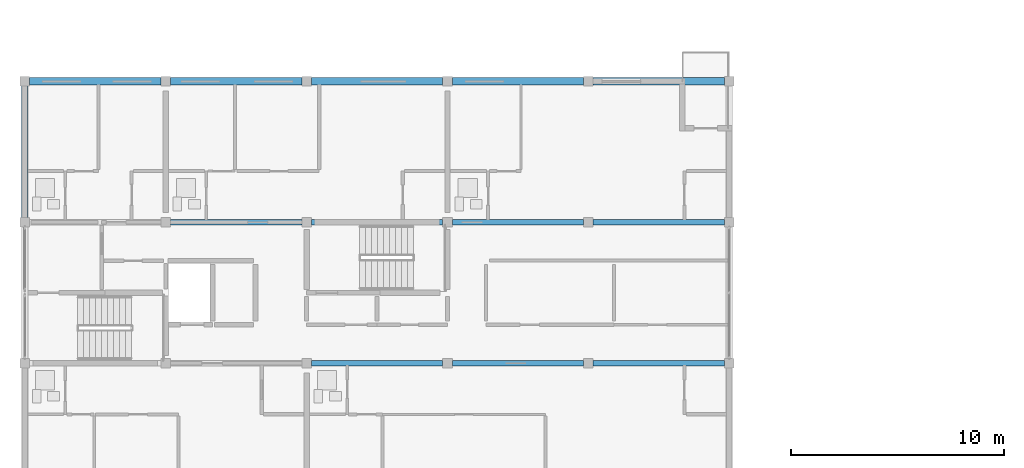
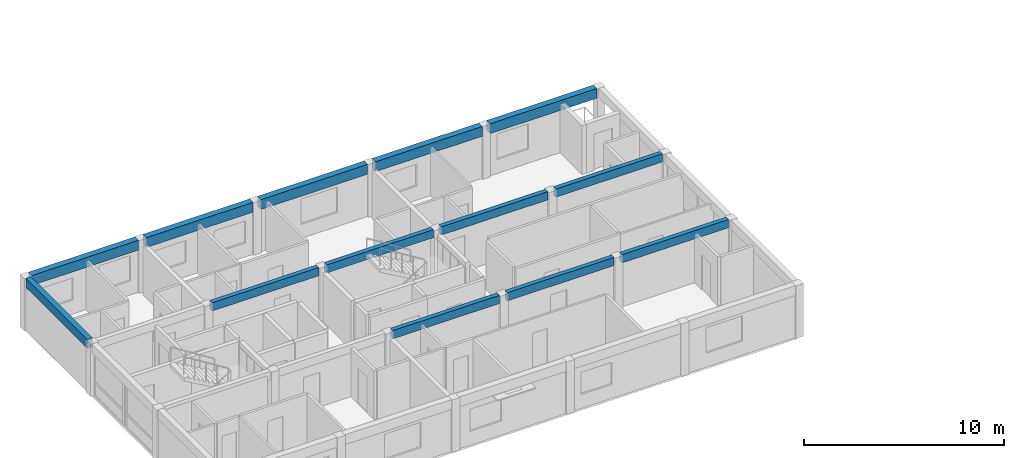
# One storey, part 4 of 22: 13 beams.
"""IFC4 building model written with IfcOpenShell, lengths in metres."""

from ifc_helpers import new_model, si_unit, direction, frame, origin, origin_2d, place, context, subcontext, project, spatial, rectangle, extrude, material, material_profile, profile_set, type_object, element, save


model = new_model("IFC4")

# Units and contexts
model_context = context("Model", 3, precision=1e-05, world=origin(), true_north=direction((0.0, 1.0)))
body_context = subcontext(model_context, "Body", "Model", "MODEL_VIEW")
ifc_project = project(units=[si_unit("LENGTHUNIT", "METRE"), si_unit("AREAUNIT", "SQUARE_METRE"), si_unit("VOLUMEUNIT", "CUBIC_METRE"), si_unit("PLANEANGLEUNIT", "RADIAN"), si_unit("MASSUNIT", "GRAM", prefix="KILO")], contexts=[model_context])

# Site, building, storey
site_placement = place(None, origin())
site = spatial("IfcSite", under=ifc_project, at=site_placement, CompositionType="ELEMENT")
building_placement = place(site_placement, origin())
building = spatial("IfcBuilding", under=site, at=building_placement, Name="Kernevlak Ridge Housing Community", CompositionType="ELEMENT")
storey_placement = place(building_placement, frame((0.0, 0.0, 43.60009765625)))
storey = spatial("IfcBuildingStorey", under=building, at=storey_placement, Name="L13", CompositionType="ELEMENT", Elevation=43.60009765625)

# Beams
ifc_material = material(Name="Concrete C35/45", Category="concrete")
ifc_material_profile_1 = material_profile(ifc_material, rectangle(XDim=0.25, YDim=0.5, at=origin_2d()), Name="RC 250x500")
ifc_profile_set_1 = profile_set([ifc_material_profile_1], Name="Concrete C35/45")
beam_type_1 = type_object("IfcBeamType", Name="B-06", PredefinedType="T_BEAM", material=ifc_profile_set_1)
beam_1_placement = place(storey_placement, frame((29.02490234375, 82.60009765625, 2.949951171875), z_axis=(1.0, 0.0, 0.0), x_axis=(0.0, 1.0, 0.0)))
element("IfcBeam", 1, at=beam_1_placement, inside=storey, type_object=beam_type_1, Name="Beam B-06 L13 402", PredefinedType="T_BEAM", context=body_context, shape_type="SweptSolid", body=[
    extrude(rectangle(XDim=0.25, YDim=0.5, at=origin_2d()), origin(), (0.0, 0.0, 1.0), 6.150146484375),
])
for number, where, z_axis, x_axis, name in (
    (2, (35.625, 82.60009765625, 2.949951171875), (1.0, 0.0, 0.0), (0.0, 1.0, 0.0), "Beam B-06 L13 403"),
    (3, (42.22509765625, 82.60009765625, 2.949951171875), (1.0, 0.0, 0.0), (0.0, 1.0, 0.0), "Beam B-06 L13 404"),
    (4, (22.425048828125, 89.199951171875, 2.949951171875), (1.0, 0.0, 0.0), (0.0, 1.0, 0.0), "Beam B-06 L13 406"),
):
    element("IfcBeam", number, at=place(storey_placement, frame(where, z_axis=z_axis, x_axis=x_axis)), inside=storey, type_object=beam_type_1, Name=name, PredefinedType="T_BEAM", context=body_context, shape_type="SweptSolid", body=[
        extrude(rectangle(XDim=0.25, YDim=0.5, at=origin_2d()), origin(), (0.0, 0.0, 1.0), 6.14990234375),
    ])
beam_2_placement = place(storey_placement, frame((29.02490234375, 89.199951171875, 2.949951171875), z_axis=(1.0, 0.0, 0.0), x_axis=(0.0, 1.0, 0.0)))
element("IfcBeam", 5, at=beam_2_placement, inside=storey, type_object=beam_type_1, Name="Beam B-06 L13 407", PredefinedType="T_BEAM", context=body_context, shape_type="SweptSolid", body=[
    extrude(rectangle(XDim=0.25, YDim=0.5, at=origin_2d()), origin(), (0.0, 0.0, 1.0), 6.150146484375),
])
for number, where, z_axis, x_axis, name in (
    (6, (35.625, 89.199951171875, 2.949951171875), (1.0, 0.0, 0.0), (0.0, 1.0, 0.0), "Beam B-06 L13 408"),
    (7, (42.22509765625, 89.199951171875, 2.949951171875), (1.0, 0.0, 0.0), (0.0, 1.0, 0.0), "Beam B-06 L13 409"),
):
    element("IfcBeam", number, at=place(storey_placement, frame(where, z_axis=z_axis, x_axis=x_axis)), inside=storey, type_object=beam_type_1, Name=name, PredefinedType="T_BEAM", context=body_context, shape_type="SweptSolid", body=[
        extrude(rectangle(XDim=0.25, YDim=0.5, at=origin_2d()), origin(), (0.0, 0.0, 1.0), 6.14990234375),
    ])
ifc_material_profile_2 = material_profile(ifc_material, rectangle(XDim=0.300048828125, YDim=0.550048828125, at=origin_2d()), Name="RC 300x550")
ifc_profile_set_2 = profile_set([ifc_material_profile_2], Name="Concrete C35/45")
beam_type_2 = type_object("IfcBeamType", Name="SP-01", PredefinedType="SPANDREL", material=ifc_profile_set_2)
beam_3_placement = place(storey_placement, frame((15.60009765625, 89.425048828125, 2.9248046875), z_axis=(0.0, 1.0, 0.0), x_axis=(-1.0, 0.0, 0.0)))
element("IfcBeam", 8, at=beam_3_placement, inside=storey, type_object=beam_type_2, Name="Beam SP-01 L13 417", PredefinedType="SPANDREL", context=body_context, shape_type="SweptSolid", body=[
    extrude(rectangle(XDim=0.300048828125, YDim=0.550048828125, at=origin_2d()), origin(), (0.0, 0.0, 1.0), 6.14990234375),
])
ifc_material_profile_3 = material_profile(ifc_material, rectangle(XDim=0.35009765625, YDim=0.60009765625, at=origin_2d()), Name="RC 350x600")
ifc_profile_set_3 = profile_set([ifc_material_profile_3], Name="Concrete C35/45")
beam_type_3 = type_object("IfcBeamType", Name="SP-03", PredefinedType="SPANDREL", material=ifc_profile_set_3)
beam_4_placement = place(storey_placement, frame((15.824951171875, 95.800048828125, 2.89990234375), z_axis=(1.0, 0.0, 0.0), x_axis=(0.0, 1.0, 0.0)))
element("IfcBeam", 9, at=beam_4_placement, inside=storey, type_object=beam_type_3, Name="Beam SP-03 L13 410", PredefinedType="SPANDREL", context=body_context, shape_type="SweptSolid", body=[
    extrude(rectangle(XDim=0.35009765625, YDim=0.60009765625, at=origin_2d()), origin(), (0.0, 0.0, 1.0), 6.150146484375),
])
beam_5_placement = place(storey_placement, frame((22.425048828125, 95.800048828125, 2.89990234375), z_axis=(1.0, 0.0, 0.0), x_axis=(0.0, 1.0, 0.0)))
element("IfcBeam", 10, at=beam_5_placement, inside=storey, type_object=beam_type_3, Name="Beam SP-03 L13 411", PredefinedType="SPANDREL", context=body_context, shape_type="SweptSolid", body=[
    extrude(rectangle(XDim=0.35009765625, YDim=0.60009765625, at=origin_2d()), origin(), (0.0, 0.0, 1.0), 6.14990234375),
])
beam_6_placement = place(storey_placement, frame((29.02490234375, 95.800048828125, 2.89990234375), z_axis=(1.0, 0.0, 0.0), x_axis=(0.0, 1.0, 0.0)))
element("IfcBeam", 11, at=beam_6_placement, inside=storey, type_object=beam_type_3, Name="Beam SP-03 L13 412", PredefinedType="SPANDREL", context=body_context, shape_type="SweptSolid", body=[
    extrude(rectangle(XDim=0.35009765625, YDim=0.60009765625, at=origin_2d()), origin(), (0.0, 0.0, 1.0), 6.150146484375),
])
for number, where, z_axis, x_axis, name in (
    (12, (35.625, 95.800048828125, 2.89990234375), (1.0, 0.0, 0.0), (0.0, 1.0, 0.0), "Beam SP-03 L13 413"),
    (13, (42.22509765625, 95.800048828125, 2.89990234375), (1.0, 0.0, 0.0), (0.0, 1.0, 0.0), "Beam SP-03 L13 414"),
):
    element("IfcBeam", number, at=place(storey_placement, frame(where, z_axis=z_axis, x_axis=x_axis)), inside=storey, type_object=beam_type_3, Name=name, PredefinedType="SPANDREL", context=body_context, shape_type="SweptSolid", body=[
        extrude(rectangle(XDim=0.35009765625, YDim=0.60009765625, at=origin_2d()), origin(), (0.0, 0.0, 1.0), 6.14990234375),
    ])

save(model, "model.ifc")
